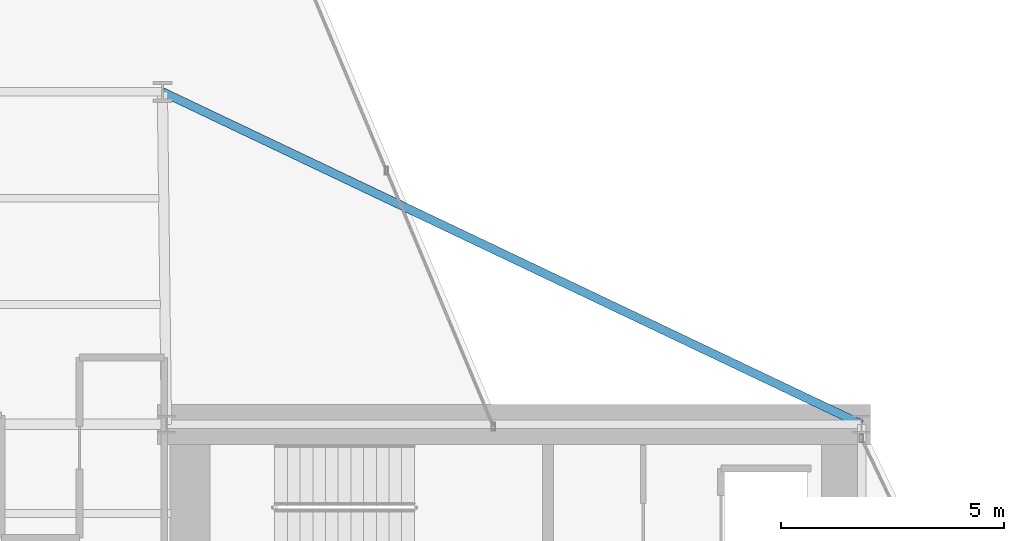
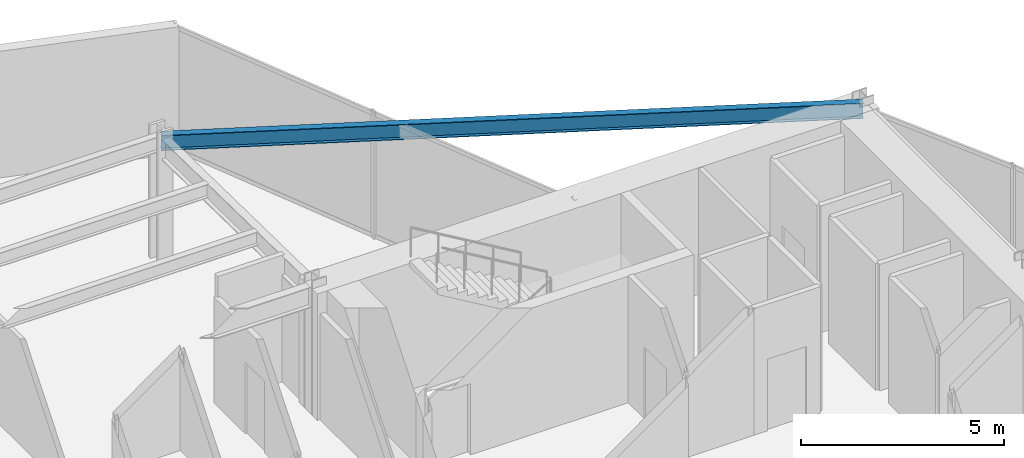
# One storey, part 17 of 24: 1 beam.
"""IFC4 building model written with IfcOpenShell, lengths in metres."""

from ifc_helpers import new_model, si_unit, direction, frame, origin, origin_2d, place, context, subcontext, project, spatial, i_section, extrude, material, material_profile, profile_set, type_object, element, save


model = new_model("IFC4")

# Units and contexts
model_context = context("Model", 3, precision=1e-05, world=origin(), true_north=direction((0.0, 1.0)))
body_context = subcontext(model_context, "Body", "Model", "MODEL_VIEW")
ifc_project = project(units=[si_unit("LENGTHUNIT", "METRE"), si_unit("AREAUNIT", "SQUARE_METRE"), si_unit("VOLUMEUNIT", "CUBIC_METRE"), si_unit("PLANEANGLEUNIT", "RADIAN"), si_unit("MASSUNIT", "GRAM", prefix="KILO")], contexts=[model_context])

# Site, building, storey
site_placement = place(None, origin())
site = spatial("IfcSite", under=ifc_project, at=site_placement, CompositionType="ELEMENT")
building_placement = place(site_placement, origin())
building = spatial("IfcBuilding", under=site, at=building_placement, Name="Veymaron Broadcast Tower", CompositionType="ELEMENT")
storey_placement = place(building_placement, frame((0.0, 0.0, 78.300048828125)))
storey = spatial("IfcBuildingStorey", under=building, at=storey_placement, Name="L17", CompositionType="ELEMENT", Elevation=78.300048828125)

# Beam
ifc_material = material(Name="Structural steel ASTM A992 Gr 50", Category="steel")
ifc_material_profile = material_profile(ifc_material, i_section(OverallWidth=0.19091796875, OverallDepth=0.4599609375, WebThickness=0.010009765625, FlangeThickness=0.01611328125, at=origin_2d()), Name="W460X82")
ifc_profile_set = profile_set([ifc_material_profile], Name="Structural steel ASTM A992 Gr 50")
beam_type = type_object("IfcBeamType", Name="BM-SP1", PredefinedType="SPANDREL", material=ifc_profile_set)
beam_placement = place(storey_placement, frame((54.60009765625, 32.0, 3.579833984375), z_axis=(-0.903118549841, 0.429391295828, 0.0), x_axis=(-0.429391295828, -0.903118549841, 0.0)))
element("IfcBeam", 1, at=beam_placement, inside=storey, type_object=beam_type, Name="L17 primary structural floor girder", PredefinedType="SPANDREL", context=body_context, shape_type="SweptSolid", body=[
    extrude(i_section(OverallWidth=0.19091796875, OverallDepth=0.4599609375, WebThickness=0.010009765625, FlangeThickness=0.01611328125, at=origin_2d()), origin(), (0.0, 0.0, 1.0), 17.373291015625),
])

save(model, "model.ifc")
